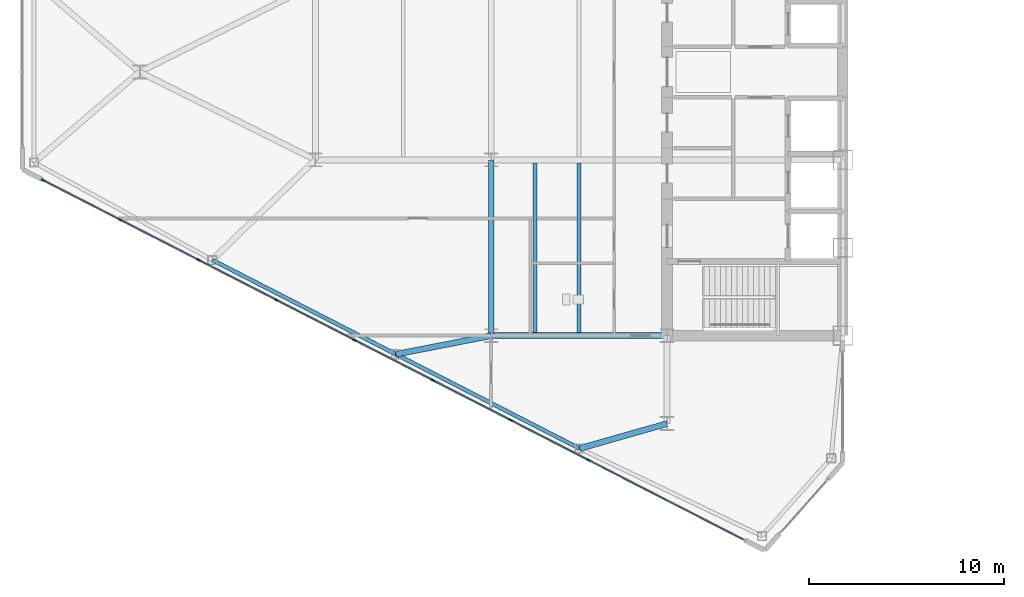
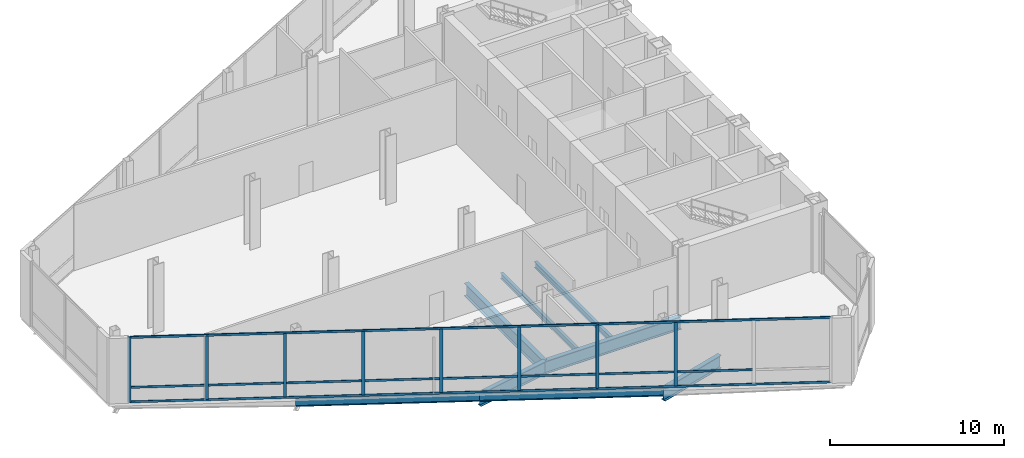
# One storey, part 3 of 22: 18 members, 8 beams, 1 element without a shape of its own.
"""IFC4 building model written with IfcOpenShell, lengths in metres."""

from ifc_helpers import new_model, si_unit, direction, frame, origin, origin_2d, place, context, subcontext, project, spatial, rectangle, i_section, extrude, source, transform, mapped, material, layer, layer_set, material_profile, profile_set, type_object, type_shapes, element, aggregate, save


model = new_model("IFC4")

# Units and contexts
model_context = context("Model", 3, precision=1e-05, world=origin(), true_north=direction((0.0, 1.0)))
body_context = subcontext(model_context, "Body", "Model", "MODEL_VIEW")
ifc_project = project(units=[si_unit("LENGTHUNIT", "METRE"), si_unit("AREAUNIT", "SQUARE_METRE"), si_unit("VOLUMEUNIT", "CUBIC_METRE"), si_unit("PLANEANGLEUNIT", "RADIAN"), si_unit("MASSUNIT", "GRAM", prefix="KILO")], contexts=[model_context])

# Site, building, storey
site_placement = place(None, origin())
site = spatial("IfcSite", under=ifc_project, at=site_placement, CompositionType="ELEMENT")
building_placement = place(site_placement, origin())
building = spatial("IfcBuilding", under=site, at=building_placement, Name="Seokmaru Belvedere", CompositionType="ELEMENT")
storey_placement = place(building_placement, frame((0.0, 0.0, 135.60009765625)))
storey = spatial("IfcBuildingStorey", under=building, at=storey_placement, Name="L36", CompositionType="ELEMENT", Elevation=135.60009765625)

# Beams
ifc_material_1 = material(Name="Steel SM355 (355 MPa)", Category="steel")
ifc_material_profile_1 = material_profile(ifc_material_1, i_section(OverallWidth=0.300048828125, OverallDepth=0.89990234375, WebThickness=0.01611328125, FlangeThickness=0.028076171875, at=origin_2d()), Name="H-900x300x16x28")
ifc_profile_set_1 = profile_set([ifc_material_profile_1], Name="Steel SM355 (355 MPa)")
beam_type_1 = type_object("IfcBeamType", Name="Refuge Floor Girder H-900", PredefinedType="BEAM", material=ifc_profile_set_1)
shared_shape_1 = source(origin(), body_context, "Body", "SweptSolid", [
    extrude(i_section(OverallWidth=0.300048828125, OverallDepth=0.89990234375, WebThickness=0.01611328125, FlangeThickness=0.028076171875, at=origin_2d()), origin(), (0.0, 0.0, 1.0), 9.0),
])
for number, where, z_axis, x_axis, name in (
    (1, (-45.5, -13.5, -0.710205078125), (0.0, 1.0, 0.0), (-1.0, 0.0, 0.0), "L36 W Interior Grid Girder 1"),
    (2, (-45.5, -13.5, -0.710205078125), (1.0, 0.0, 0.0), (0.0, 1.0, 0.0), "L36 W Wing Primary Girder 1"),
):
    element("IfcBeam", number, at=place(storey_placement, frame(where, z_axis=z_axis, x_axis=x_axis)), inside=storey, type_object=beam_type_1, Name=name, PredefinedType="BEAM", context=body_context, shape_type="MappedRepresentation", body=[
        mapped(shared_shape_1, transform((0.0, 0.0, 0.0), scale=1.0)),
    ])
ifc_material_profile_2 = material_profile(ifc_material_1, i_section(OverallWidth=0.199951171875, OverallDepth=0.39990234375, WebThickness=0.008056640625, FlangeThickness=0.012939453125, at=origin_2d()), Name="H-400x200x8x13")
ifc_profile_set_2 = profile_set([ifc_material_profile_2], Name="Steel SM355 (355 MPa)")
beam_type_2 = type_object("IfcBeamType", Name="Secondary Floor Joist H-400", PredefinedType="JOIST", material=ifc_profile_set_2)
shared_shape_2 = source(origin(), body_context, "Body", "SweptSolid", [
    extrude(i_section(OverallWidth=0.199951171875, OverallDepth=0.39990234375, WebThickness=0.008056640625, FlangeThickness=0.012939453125, at=origin_2d()), origin(), (0.0, 0.0, 1.0), 8.68994140625),
])
type_shapes(beam_type_2, [shared_shape_2])
for number, where, z_axis, x_axis, name in (
    (3, (-43.25, -13.344970703125, -0.460205078125), (0.0, 1.0, 0.0), (-1.0, 0.0, 0.0), "L36 W Wing Inner Secondary Joist 1"),
    (4, (-41.0, -13.344970703125, -0.460205078125), (0.0, 1.0, 0.0), (-1.0, 0.0, 0.0), "L36 W Secondary Floor Joist 1"),
):
    element("IfcBeam", number, at=place(storey_placement, frame(where, z_axis=z_axis, x_axis=x_axis)), inside=storey, type_object=beam_type_2, Name=name, PredefinedType="JOIST", context=body_context, shape_type="MappedRepresentation", body=[
        mapped(shared_shape_2, transform((0.0, 0.0, 0.0), scale=1.0)),
    ])
ifc_material_profile_3 = material_profile(ifc_material_1, i_section(OverallWidth=0.199951171875, OverallDepth=0.550048828125, WebThickness=0.010009765625, FlangeThickness=0.01611328125, at=origin_2d()), Name="H-550x200x10x16")
ifc_profile_set_3 = profile_set([ifc_material_profile_3], Name="Steel SM355 (355 MPa)")
beam_type_3 = type_object("IfcBeamType", Name="Sky-Lobby Spandrel Beam H-550", PredefinedType="SPANDREL", material=ifc_profile_set_3)
shared_shape_3 = source(origin(), body_context, "Body", "SweptSolid", [
    extrude(i_section(OverallWidth=0.199951171875, OverallDepth=0.550048828125, WebThickness=0.010009765625, FlangeThickness=0.01611328125, at=origin_2d()), origin(), (0.0, 0.0, 1.0), 10.56689453125),
])
type_shapes(beam_type_3, [shared_shape_3])
for number, where, z_axis, x_axis, name in (
    (5, (-40.975830078125, -19.277587890625, -0.53515625), (-0.889701972758, 0.45654178305, 0.0), (-0.45654178305, -0.889701972758, 0.0), "L36 W Faceted Flank Spandrel S-2"),
    (6, (-50.377197265625, -14.453369140625, -0.53515625), (-0.889692588006, 0.456560071455, 0.0), (-0.456560071455, -0.889692588006, 0.0), "L36 W Faceted Flank Spandrel S-3"),
):
    element("IfcBeam", number, at=place(storey_placement, frame(where, z_axis=z_axis, x_axis=x_axis)), inside=storey, type_object=beam_type_3, Name=name, PredefinedType="SPANDREL", context=body_context, shape_type="MappedRepresentation", body=[
        mapped(shared_shape_3, transform((0.0, 0.0, 0.0), scale=1.0)),
    ])
shared_shape_4 = source(origin(), body_context, "Body", "SweptSolid", [
    extrude(i_section(OverallWidth=0.300048828125, OverallDepth=0.89990234375, WebThickness=0.01611328125, FlangeThickness=0.028076171875, at=origin_2d()), origin(), (0.0, 0.0, 1.0), 4.654541015625),
])
beam_1_placement = place(storey_placement, frame((-40.975830078125, -19.277587890625, -0.710205078125), z_axis=(0.961593192625, 0.274478654721, 0.0), x_axis=(-0.274478654721, 0.961593192625, 0.0)))
element("IfcBeam", 7, at=beam_1_placement, inside=storey, type_object=beam_type_1, Name="L36 W Flank Radial Floor Girder S-1", PredefinedType="BEAM", context=body_context, shape_type="MappedRepresentation", body=[
    mapped(shared_shape_4, transform((0.0, 0.0, 0.0), scale=1.0)),
])
shared_shape_5 = source(origin(), body_context, "Body", "SweptSolid", [
    extrude(i_section(OverallWidth=0.300048828125, OverallDepth=0.89990234375, WebThickness=0.01611328125, FlangeThickness=0.028076171875, at=origin_2d()), origin(), (0.0, 0.0, 1.0), 4.969482421875),
])
type_shapes(beam_type_1, [shared_shape_1, shared_shape_4, shared_shape_5])
beam_2_placement = place(storey_placement, frame((-50.377197265625, -14.453369140625, -0.710205078125), z_axis=(0.98142544456, 0.19184393858, 0.0), x_axis=(-0.19184393858, 0.98142544456, 0.0)))
element("IfcBeam", 8, at=beam_2_placement, inside=storey, type_object=beam_type_1, Name="L36 W Flank Radial Floor Girder S-2", PredefinedType="BEAM", context=body_context, shape_type="MappedRepresentation", body=[
    mapped(shared_shape_5, transform((0.0, 0.0, 0.0), scale=1.0)),
])

# Curtain wall, members
ifc_material_2 = material(Name="Bronze Triple Insulating Glass", Category="glass")
ifc_layer = layer(ifc_material_2, 0.195068359375)
ifc_layer_set = layer_set([ifc_layer], Name="Bronze Triple Insulating Glass")
curtain_wall_type = type_object("IfcCurtainWallType", Name="Sky-Lobby and Mid-Rise Curtain Wall System CW-4", PredefinedType="NOTDEFINED", material=ifc_layer_set)
curtain_wall_placement = place(storey_placement, origin())
curtain_wall = element("IfcCurtainWall", 9, at=curtain_wall_placement, inside=storey, type_object=curtain_wall_type, Name="L36 Curtain Wall WF5", PredefinedType="NOTDEFINED")
ifc_material_3 = material(Name="Anodised Bronze Aluminium", Category="aluminium")
ifc_material_profile_4 = material_profile(ifc_material_3, rectangle(XDim=0.06494140625, YDim=0.14990234375, at=origin_2d()), Name="CW-T-65x150")
ifc_profile_set_4 = profile_set([ifc_material_profile_4], Name="Anodised Bronze Aluminium")
member_type_1 = type_object("IfcMemberType", Name="Bronze Unitised Transom 65x150", PredefinedType="USERDEFINED", material=ifc_profile_set_4)
shared_shape_6 = source(origin(), body_context, "Body", "SweptSolid", [
    extrude(rectangle(XDim=0.06494140625, YDim=0.14990234375, at=origin_2d()), origin(), (0.0, 0.0, 1.0), 40.271240234375),
])
member_1_placement = place(storey_placement, frame((-68.41455078125, -5.556884765625, 0.032470703125), z_axis=(0.889693089107, -0.456559094965, 0.0), x_axis=(0.456559094965, 0.889693089107, 0.0)))
member_1 = element("IfcMember", 10, at=member_1_placement, type_object=member_type_1, Name="CW:L36:WF5 Continuous Transom 1", ObjectType="TRANSOM", PredefinedType="USERDEFINED", context=body_context, shape_type="MappedRepresentation", body=[
    mapped(shared_shape_6, transform((0.0, 0.0, 0.0), scale=1.0)),
])
member_2_placement = place(storey_placement, frame((-68.41455078125, -5.556884765625, 4.54736328125), z_axis=(0.889693089107, -0.456559094965, 0.0), x_axis=(0.456559094965, 0.889693089107, 0.0)))
member_2 = element("IfcMember", 11, at=member_2_placement, type_object=member_type_1, Name="CW:L36:WF5 Continuous Transom 2", ObjectType="TRANSOM", PredefinedType="USERDEFINED", context=body_context, shape_type="MappedRepresentation", body=[
    mapped(shared_shape_6, transform((0.0, 0.0, 0.0), scale=1.0)),
])
ifc_material_profile_5 = material_profile(ifc_material_3, rectangle(XDim=0.070068359375, YDim=0.195068359375, at=origin_2d()), Name="CW-M-70x195")
ifc_profile_set_5 = profile_set([ifc_material_profile_5], Name="Anodised Bronze Aluminium")
member_type_2 = type_object("IfcMemberType", Name="Bronze Unitised Mullion 70x195", PredefinedType="MULLION", material=ifc_profile_set_5)
shared_shape_7 = source(origin(), body_context, "Body", "SweptSolid", [
    extrude(rectangle(XDim=0.070068359375, YDim=0.195068359375, at=origin_2d()), origin(), (0.0, 0.0, 1.0), 4.579833984375),
])
member_3_placement = place(storey_placement, frame((-68.44580078125, -5.541015625, 0.0), z_axis=(0.0, 0.0, 1.0), x_axis=(0.456554528263, 0.889695432562, 0.0)))
member_3 = element("IfcMember", 12, at=member_3_placement, type_object=member_type_2, Name="CW:L36:WF5 Mullion 1", PredefinedType="MULLION", context=body_context, shape_type="MappedRepresentation", body=[
    mapped(shared_shape_7, transform((0.0, 0.0, 0.0), scale=1.0)),
])
shared_shape_8 = source(origin(), body_context, "Body", "SweptSolid", [
    extrude(rectangle(XDim=0.070068359375, YDim=0.195068359375, at=origin_2d()), origin(), (0.0, 0.0, 1.0), 4.449951171875),
])
type_shapes(member_type_2, [shared_shape_7, shared_shape_8])
member_4_placement = place(storey_placement, frame((-64.48193359375, -7.574951171875, 0.06494140625), z_axis=(0.0, 0.0, 1.0), x_axis=(0.456554528263, 0.889695432562, 0.0)))
member_4 = element("IfcMember", 13, at=member_4_placement, type_object=member_type_2, Name="CW:L36:WF5 Mullion 2", PredefinedType="MULLION", context=body_context, shape_type="MappedRepresentation", body=[
    mapped(shared_shape_8, transform((0.0, 0.0, 0.0), scale=1.0)),
])
member_5_placement = place(storey_placement, frame((-60.4873046875, -9.625, 0.06494140625), z_axis=(0.0, 0.0, 1.0), x_axis=(0.456554528263, 0.889695432562, 0.0)))
member_5 = element("IfcMember", 14, at=member_5_placement, type_object=member_type_2, Name="CW:L36:WF5 Mullion 3", PredefinedType="MULLION", context=body_context, shape_type="MappedRepresentation", body=[
    mapped(shared_shape_8, transform((0.0, 0.0, 0.0), scale=1.0)),
])
member_6_placement = place(storey_placement, frame((-56.4921875, -11.675048828125, 0.06494140625), z_axis=(0.0, 0.0, 1.0), x_axis=(0.456554528263, 0.889695432562, 0.0)))
member_6 = element("IfcMember", 15, at=member_6_placement, type_object=member_type_2, Name="CW:L36:WF5 Mullion 4", PredefinedType="MULLION", context=body_context, shape_type="MappedRepresentation", body=[
    mapped(shared_shape_8, transform((0.0, 0.0, 0.0), scale=1.0)),
])
member_7_placement = place(storey_placement, frame((-52.497314453125, -13.72509765625, 0.06494140625), z_axis=(0.0, 0.0, 1.0), x_axis=(0.456554528263, 0.889695432562, 0.0)))
member_7 = element("IfcMember", 16, at=member_7_placement, type_object=member_type_2, Name="CW:L36:WF5 Mullion 5", PredefinedType="MULLION", context=body_context, shape_type="MappedRepresentation", body=[
    mapped(shared_shape_8, transform((0.0, 0.0, 0.0), scale=1.0)),
])
member_8_placement = place(storey_placement, frame((-48.502685546875, -15.77490234375, 0.06494140625), z_axis=(0.0, 0.0, 1.0), x_axis=(0.456554528263, 0.889695432562, 0.0)))
member_8 = element("IfcMember", 17, at=member_8_placement, type_object=member_type_2, Name="CW:L36:WF5 Mullion 6", PredefinedType="MULLION", context=body_context, shape_type="MappedRepresentation", body=[
    mapped(shared_shape_8, transform((0.0, 0.0, 0.0), scale=1.0)),
])
member_9_placement = place(storey_placement, frame((-44.5078125, -17.824951171875, 0.06494140625), z_axis=(0.0, 0.0, 1.0), x_axis=(0.456554528263, 0.889695432562, 0.0)))
member_9 = element("IfcMember", 18, at=member_9_placement, type_object=member_type_2, Name="CW:L36:WF5 Mullion 7", PredefinedType="MULLION", context=body_context, shape_type="MappedRepresentation", body=[
    mapped(shared_shape_8, transform((0.0, 0.0, 0.0), scale=1.0)),
])
member_10_placement = place(storey_placement, frame((-40.5126953125, -19.875, 0.06494140625), z_axis=(0.0, 0.0, 1.0), x_axis=(0.456554528263, 0.889695432562, 0.0)))
member_10 = element("IfcMember", 19, at=member_10_placement, type_object=member_type_2, Name="CW:L36:WF5 Mullion 8", PredefinedType="MULLION", context=body_context, shape_type="MappedRepresentation", body=[
    mapped(shared_shape_8, transform((0.0, 0.0, 0.0), scale=1.0)),
])
shared_shape_9 = source(origin(), body_context, "Body", "SweptSolid", [
    extrude(rectangle(XDim=0.06494140625, YDim=0.14990234375, at=origin_2d()), origin(), (0.0, 0.0, 1.0), 4.38525390625),
])
member_11_placement = place(storey_placement, frame((-68.41455078125, -5.556884765625, 1.0498046875), z_axis=(0.889678887593, -0.456586768282, 0.0), x_axis=(0.456586768282, 0.889678887593, 0.0)))
member_11 = element("IfcMember", 20, at=member_11_placement, type_object=member_type_1, Name="CW:L36:WF5 Spandrel Transom 1", ObjectType="TRANSOM", PredefinedType="USERDEFINED", context=body_context, shape_type="MappedRepresentation", body=[
    mapped(shared_shape_9, transform((0.0, 0.0, 0.0), scale=1.0)),
])
shared_shape_10 = source(origin(), body_context, "Body", "SweptSolid", [
    extrude(rectangle(XDim=0.06494140625, YDim=0.14990234375, at=origin_2d()), origin(), (0.0, 0.0, 1.0), 4.420166015625),
])
type_shapes(member_type_1, [shared_shape_6, shared_shape_9, shared_shape_10])
member_12_placement = place(storey_placement, frame((-64.450927734375, -7.591064453125, 1.0498046875), z_axis=(0.889716805756, -0.456512875563, 0.0), x_axis=(0.456512875563, 0.889716805756, 0.0)))
member_12 = element("IfcMember", 21, at=member_12_placement, type_object=member_type_1, Name="CW:L36:WF5 Spandrel Transom 2", ObjectType="TRANSOM", PredefinedType="USERDEFINED", context=body_context, shape_type="MappedRepresentation", body=[
    mapped(shared_shape_10, transform((0.0, 0.0, 0.0), scale=1.0)),
])
member_13_placement = place(storey_placement, frame((-60.4560546875, -9.64111328125, 1.0498046875), z_axis=(0.889716805756, -0.456512875563, 0.0), x_axis=(0.456512875563, 0.889716805756, 0.0)))
member_13 = element("IfcMember", 22, at=member_13_placement, type_object=member_type_1, Name="CW:L36:WF5 Spandrel Transom 3", ObjectType="TRANSOM", PredefinedType="USERDEFINED", context=body_context, shape_type="MappedRepresentation", body=[
    mapped(shared_shape_10, transform((0.0, 0.0, 0.0), scale=1.0)),
])
member_14_placement = place(storey_placement, frame((-56.461181640625, -11.69091796875, 1.0498046875), z_axis=(0.88969437082, -0.456556597293, 0.0), x_axis=(0.456556597293, 0.88969437082, 0.0)))
member_14 = element("IfcMember", 23, at=member_14_placement, type_object=member_type_1, Name="CW:L36:WF5 Spandrel Transom 4", ObjectType="TRANSOM", PredefinedType="USERDEFINED", context=body_context, shape_type="MappedRepresentation", body=[
    mapped(shared_shape_10, transform((0.0, 0.0, 0.0), scale=1.0)),
])
member_15_placement = place(storey_placement, frame((-52.46630859375, -13.740966796875, 1.0498046875), z_axis=(0.88969437082, -0.456556597293, 0.0), x_axis=(0.456556597293, 0.88969437082, 0.0)))
member_15 = element("IfcMember", 24, at=member_15_placement, type_object=member_type_1, Name="CW:L36:WF5 Spandrel Transom 5", ObjectType="TRANSOM", PredefinedType="USERDEFINED", context=body_context, shape_type="MappedRepresentation", body=[
    mapped(shared_shape_10, transform((0.0, 0.0, 0.0), scale=1.0)),
])
member_16_placement = place(storey_placement, frame((-48.471435546875, -15.791015625, 1.0498046875), z_axis=(0.88969437082, -0.456556597293, 0.0), x_axis=(0.456556597293, 0.88969437082, 0.0)))
member_16 = element("IfcMember", 25, at=member_16_placement, type_object=member_type_1, Name="CW:L36:WF5 Spandrel Transom 6", ObjectType="TRANSOM", PredefinedType="USERDEFINED", context=body_context, shape_type="MappedRepresentation", body=[
    mapped(shared_shape_10, transform((0.0, 0.0, 0.0), scale=1.0)),
])
member_17_placement = place(storey_placement, frame((-44.4765625, -17.841064453125, 1.0498046875), z_axis=(0.889716805756, -0.456512875563, 0.0), x_axis=(0.456512875563, 0.889716805756, 0.0)))
member_17 = element("IfcMember", 26, at=member_17_placement, type_object=member_type_1, Name="CW:L36:WF5 Spandrel Transom 7", ObjectType="TRANSOM", PredefinedType="USERDEFINED", context=body_context, shape_type="MappedRepresentation", body=[
    mapped(shared_shape_10, transform((0.0, 0.0, 0.0), scale=1.0)),
])
member_18_placement = place(storey_placement, frame((-40.481689453125, -19.89111328125, 1.0498046875), z_axis=(0.889716805756, -0.456512875563, 0.0), x_axis=(0.456512875563, 0.889716805756, 0.0)))
member_18 = element("IfcMember", 27, at=member_18_placement, type_object=member_type_1, Name="CW:L36:WF5 Spandrel Transom 8", ObjectType="TRANSOM", PredefinedType="USERDEFINED", context=body_context, shape_type="MappedRepresentation", body=[
    mapped(shared_shape_10, transform((0.0, 0.0, 0.0), scale=1.0)),
])
aggregate(curtain_wall, [member_3, member_4, member_5, member_6, member_7, member_8, member_9, member_10, member_1, member_2, member_11, member_12, member_13, member_14, member_15, member_16, member_17, member_18])

save(model, "model.ifc")
